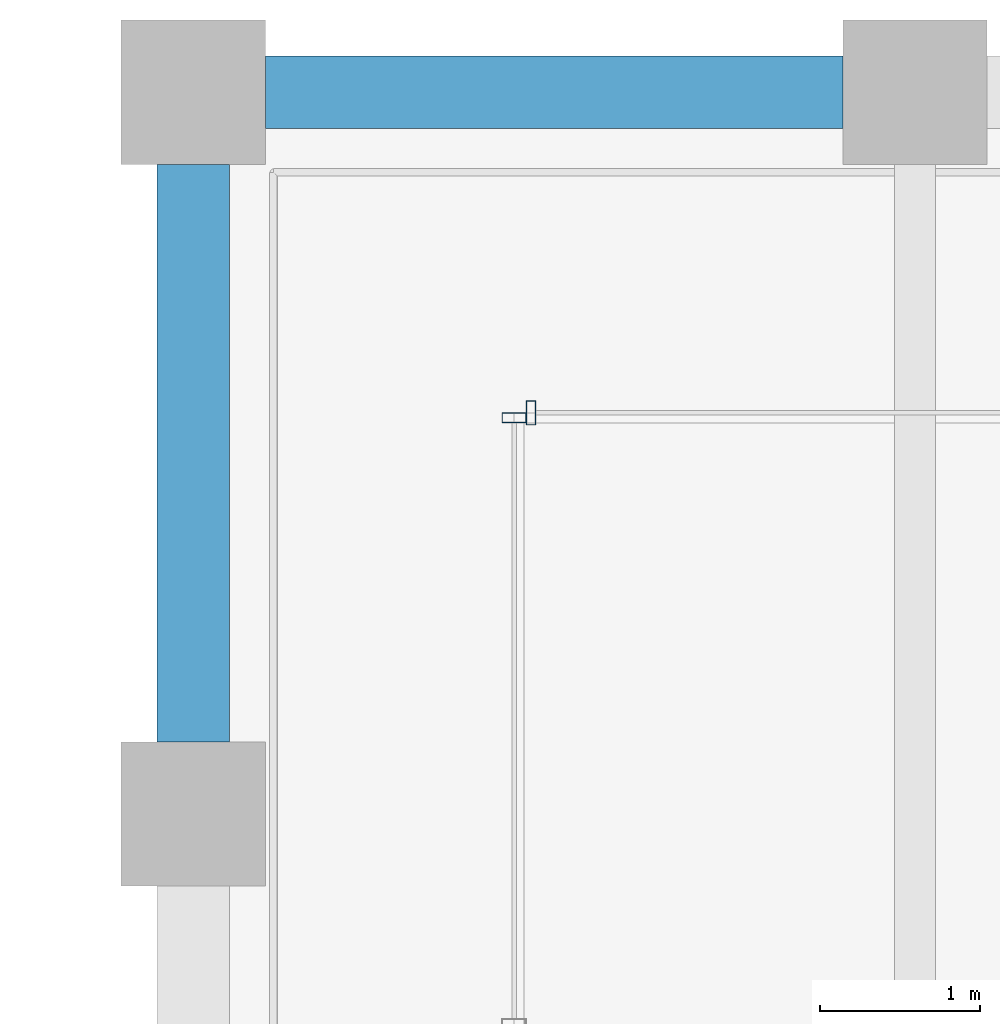
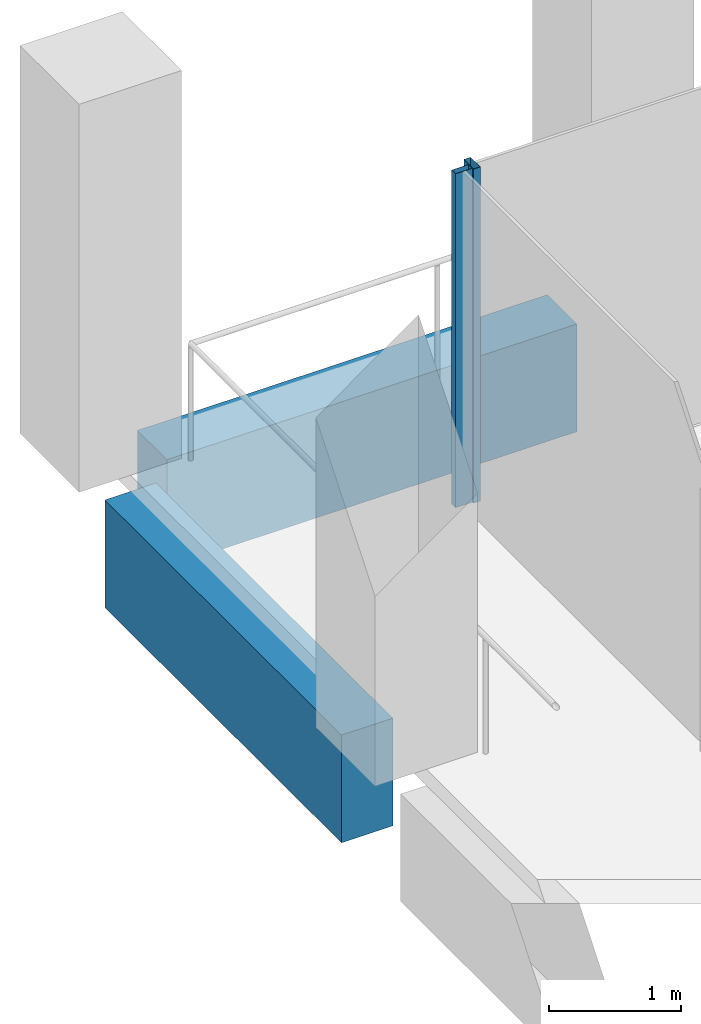
# One storey, part 21 of 40: 2 beams, 2 members, 2 elements without a shape of their own.
"""IFC4 building model written with IfcOpenShell, lengths in metres."""

from ifc_helpers import new_model, si_unit, direction, frame, origin, origin_2d, place, context, subcontext, project, spatial, rectangle, hollow_rectangle, extrude, material, material_profile, profile_set, type_object, element, aggregate, save


model = new_model("IFC4")

# Units and contexts
model_context = context("Model", 3, precision=1e-05, world=origin(), true_north=direction((0.0, 1.0)))
body_context = subcontext(model_context, "Body", "Model", "MODEL_VIEW")
ifc_project = project(units=[si_unit("LENGTHUNIT", "METRE"), si_unit("AREAUNIT", "SQUARE_METRE"), si_unit("VOLUMEUNIT", "CUBIC_METRE"), si_unit("PLANEANGLEUNIT", "RADIAN"), si_unit("MASSUNIT", "GRAM", prefix="KILO")], contexts=[model_context])

# Site, building, storey
site_placement = place(None, origin())
site = spatial("IfcSite", under=ifc_project, at=site_placement, CompositionType="ELEMENT")
building_placement = place(site_placement, origin())
building = spatial("IfcBuilding", under=site, at=building_placement, Name="Altepetl Exchange Towers", CompositionType="ELEMENT")
storey_placement = place(building_placement, frame((0.0, 0.0, 179.800048828125)))
storey = spatial("IfcBuildingStorey", under=building, at=storey_placement, Name="L45", CompositionType="ELEMENT", Elevation=179.800048828125)

# Curtain wall, member
ifc_material_1 = material(Name="Aluminium 6063-T6 glazing", Category="aluminium")
curtain_wall_type = type_object("IfcCurtainWallType", Name="Loggia glazing system", PredefinedType="NOTDEFINED", material=ifc_material_1)
curtain_wall_1_placement = place(storey_placement, origin())
curtain_wall_1 = element("IfcCurtainWall", 1, at=curtain_wall_1_placement, inside=storey, type_object=curtain_wall_type, Name="CW1 run", PredefinedType="NOTDEFINED")
ifc_material_2 = material(Name="Aluminium 6063-T6", Category="aluminium")
ifc_material_profile_1 = material_profile(ifc_material_2, hollow_rectangle(XDim=0.06005859375, YDim=0.14990234375, WallThickness=0.0029296875, at=origin_2d()), Name="Mullion 60x150 aluminium")
ifc_profile_set_1 = profile_set([ifc_material_profile_1], Name="Aluminium 6063-T6")
member_type = type_object("IfcMemberType", Name="Mullion 60x150 aluminium", PredefinedType="MULLION", material=ifc_profile_set_1)
member_1_placement = place(storey_placement, frame((42.60498046875, 70.0, 0.0), z_axis=(0.0, 0.0, 1.0), x_axis=(-1.0, 0.0, 0.0)))
member_1 = element("IfcMember", 2, at=member_1_placement, type_object=member_type, Name="MU1 mullion", PredefinedType="MULLION", context=body_context, shape_type="SweptSolid", body=[
    extrude(hollow_rectangle(XDim=0.06005859375, YDim=0.14990234375, WallThickness=0.0029296875, at=origin_2d()), origin(), (0.0, 0.0, 1.0), 3.099853515625),
])
aggregate(curtain_wall_1, [member_1])

curtain_wall_2_placement = place(storey_placement, origin())
curtain_wall_2 = element("IfcCurtainWall", 3, at=curtain_wall_2_placement, inside=storey, type_object=curtain_wall_type, Name="CW1 run", PredefinedType="NOTDEFINED")
member_2_placement = place(storey_placement, frame((42.5, 69.969970703125, 0.0), z_axis=(0.0, 0.0, 1.0), x_axis=(0.0, -1.0, 0.0)))
member_2 = element("IfcMember", 4, at=member_2_placement, type_object=member_type, Name="MU1 mullion", PredefinedType="MULLION", context=body_context, shape_type="SweptSolid", body=[
    extrude(hollow_rectangle(XDim=0.06005859375, YDim=0.14990234375, WallThickness=0.0029296875, at=origin_2d()), origin(), (0.0, 0.0, 1.0), 3.099853515625),
])
aggregate(curtain_wall_2, [member_2])

# Beams
ifc_material_3 = material(Name="Concrete C50/60 precast with cantera rosa facing", Category="concrete")
ifc_material_profile_2 = material_profile(ifc_material_3, rectangle(XDim=0.449951171875, YDim=1.0, at=origin_2d()), Name="450 x 1000")
ifc_profile_set_2 = profile_set([ifc_material_profile_2], Name="Concrete C50/60 precast with cantera rosa facing")
beam_type_1 = type_object("IfcBeamType", Name="Spandrel beam 450x1000 cantera rosa", PredefinedType="SPANDREL", material=ifc_profile_set_2)
beam_1_placement = place(storey_placement, frame((44.550048828125, 72.0, -0.650146484375), z_axis=(-1.0, 0.0, 0.0), x_axis=(0.0, -1.0, 0.0)))
element("IfcBeam", 5, at=beam_1_placement, inside=storey, type_object=beam_type_1, Name="sp:A:L45:029", PredefinedType="SPANDREL", context=body_context, shape_type="SweptSolid", body=[
    extrude(rectangle(XDim=0.449951171875, YDim=1.0, at=origin_2d()), origin(), (0.0, 0.0, 1.0), 3.60009765625),
])
ifc_material_4 = material(Name="Concrete C50/60 precast with tezontle facing", Category="concrete")
ifc_material_profile_3 = material_profile(ifc_material_4, rectangle(XDim=0.449951171875, YDim=1.0, at=origin_2d()), Name="450 x 1000")
ifc_profile_set_3 = profile_set([ifc_material_profile_3], Name="Concrete C50/60 precast with tezontle facing")
beam_type_2 = type_object("IfcBeamType", Name="Spandrel beam 450x1000 tezontle", PredefinedType="SPANDREL", material=ifc_profile_set_3)
beam_2_placement = place(storey_placement, frame((40.5, 71.550048828125, -0.650146484375), z_axis=(0.0, -1.0, 0.0), x_axis=(1.0, 0.0, 0.0)))
element("IfcBeam", 6, at=beam_2_placement, inside=storey, type_object=beam_type_2, Name="sp:A:L45:030", PredefinedType="SPANDREL", context=body_context, shape_type="SweptSolid", body=[
    extrude(rectangle(XDim=0.449951171875, YDim=1.0, at=origin_2d()), origin(), (0.0, 0.0, 1.0), 3.60009765625),
])

save(model, "model.ifc")
